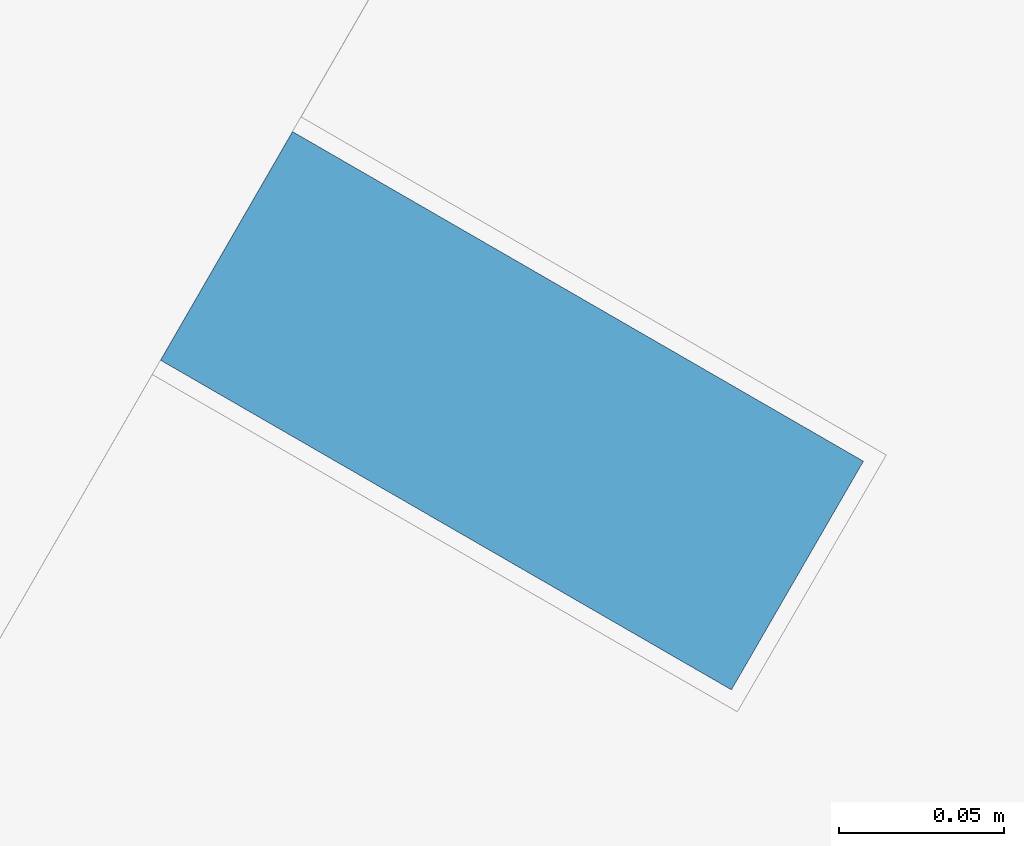
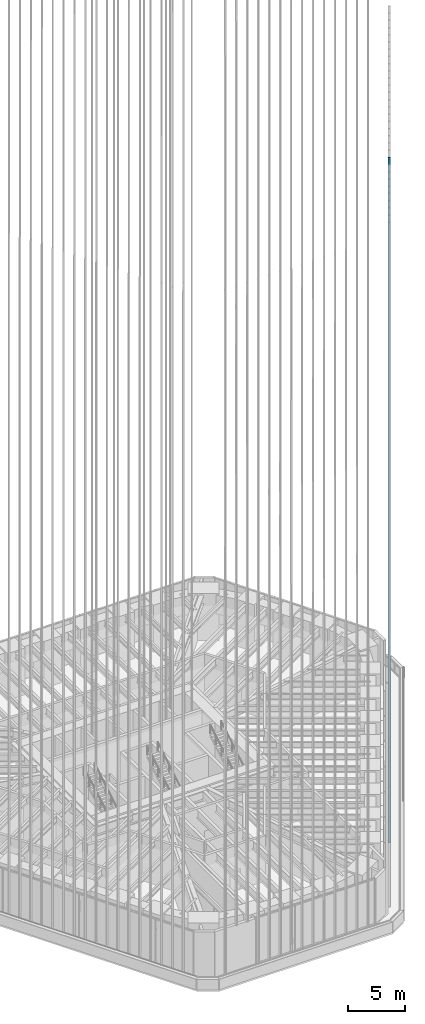
# One storey, part 92 of 228: 1 member, 1 element without a shape of its own.
"""IFC4 building model written with IfcOpenShell, lengths in metres."""

from ifc_helpers import new_model, si_unit, direction, frame, origin, origin_2d, place, context, subcontext, project, spatial, rectangle, extrude, material, material_profile, profile_set, type_object, element, aggregate, save


model = new_model("IFC4")

# Units and contexts
model_context = context("Model", 3, precision=1e-05, world=origin(), true_north=direction((0.0, 1.0)))
body_context = subcontext(model_context, "Body", "Model", "MODEL_VIEW")
ifc_project = project(units=[si_unit("LENGTHUNIT", "METRE"), si_unit("AREAUNIT", "SQUARE_METRE"), si_unit("VOLUMEUNIT", "CUBIC_METRE"), si_unit("PLANEANGLEUNIT", "RADIAN"), si_unit("MASSUNIT", "GRAM", prefix="KILO")], contexts=[model_context])

# Site, building, storey
site_placement = place(None, origin())
site = spatial("IfcSite", under=ifc_project, at=site_placement, CompositionType="ELEMENT")
building_placement = place(site_placement, origin())
building = spatial("IfcBuilding", under=site, at=building_placement, Name="Sandreach Pilgrim Tower", CompositionType="ELEMENT")
storey_placement = place(building_placement, frame((0.0, 0.0, 178.199951171875)))
storey = spatial("IfcBuildingStorey", under=building, at=storey_placement, Name="L44", CompositionType="ELEMENT", Elevation=178.199951171875)

# Curtain wall, member
ifc_material_1 = material(Name="Aluminium framed curtain wall", Category="aluminium")
curtain_wall_type = type_object("IfcCurtainWallType", Name="Upper hotel tower curtain wall", PredefinedType="NOTDEFINED", material=ifc_material_1)
curtain_wall_placement = place(storey_placement, origin())
curtain_wall = element("IfcCurtainWall", 1, at=curtain_wall_placement, inside=storey, type_object=curtain_wall_type, Name="CW-3 L44 SE", PredefinedType="NOTDEFINED")
ifc_material_2 = material(Name="Extruded terracotta on aluminium core", Category="masonry")
ifc_material_profile = material_profile(ifc_material_2, rectangle(XDim=0.080078125, YDim=0.199951171875, at=origin_2d()), Name="TBE 80X200")
ifc_profile_set = profile_set([ifc_material_profile], Name="Extruded terracotta on aluminium core")
member_type = type_object("IfcMemberType", Name="Terracotta baguette east", PredefinedType="USERDEFINED", material=ifc_profile_set)
member_placement = place(storey_placement, frame((15.36767578125, -16.502685546875, 0.0), z_axis=(0.0, 0.0, 1.0), x_axis=(-0.5, -0.866025403784, 0.0)))
member = element("IfcMember", 2, at=member_placement, type_object=member_type, Name="Baguette Z3 SE22", ObjectType="BAGUETTE", PredefinedType="USERDEFINED", context=body_context, shape_type="SweptSolid", body=[
    extrude(rectangle(XDim=0.080078125, YDim=0.199951171875, at=origin_2d()), origin(), (0.0, 0.0, 1.0), 73.239990234375),
])
aggregate(curtain_wall, [member])

save(model, "model.ifc")
